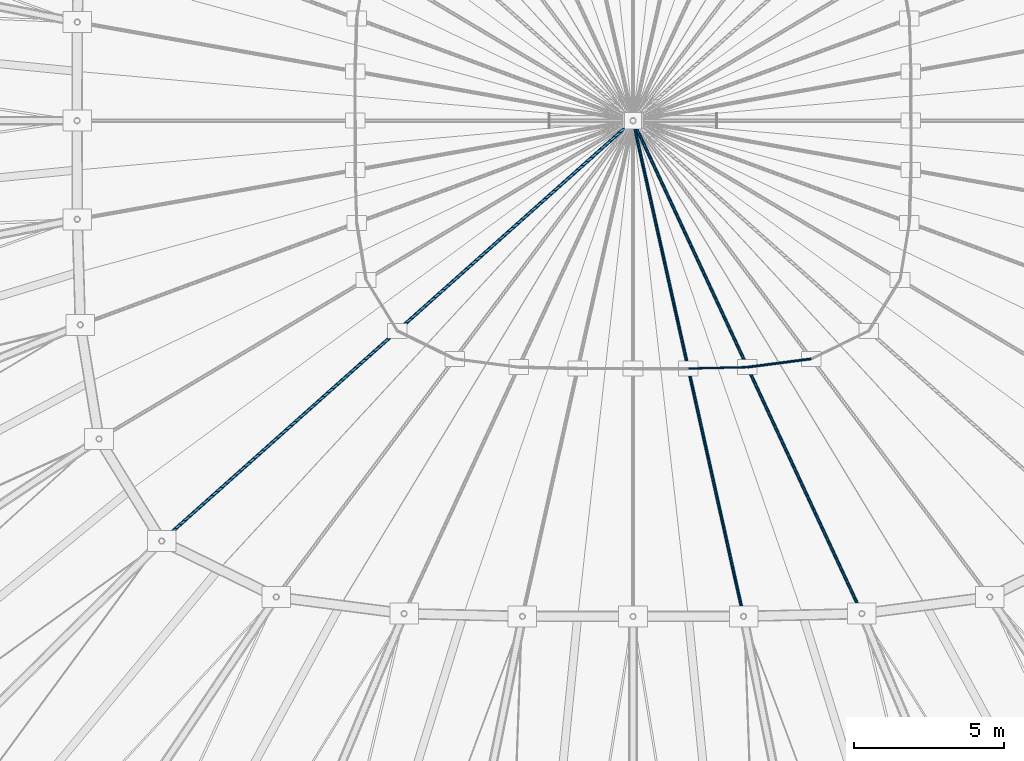
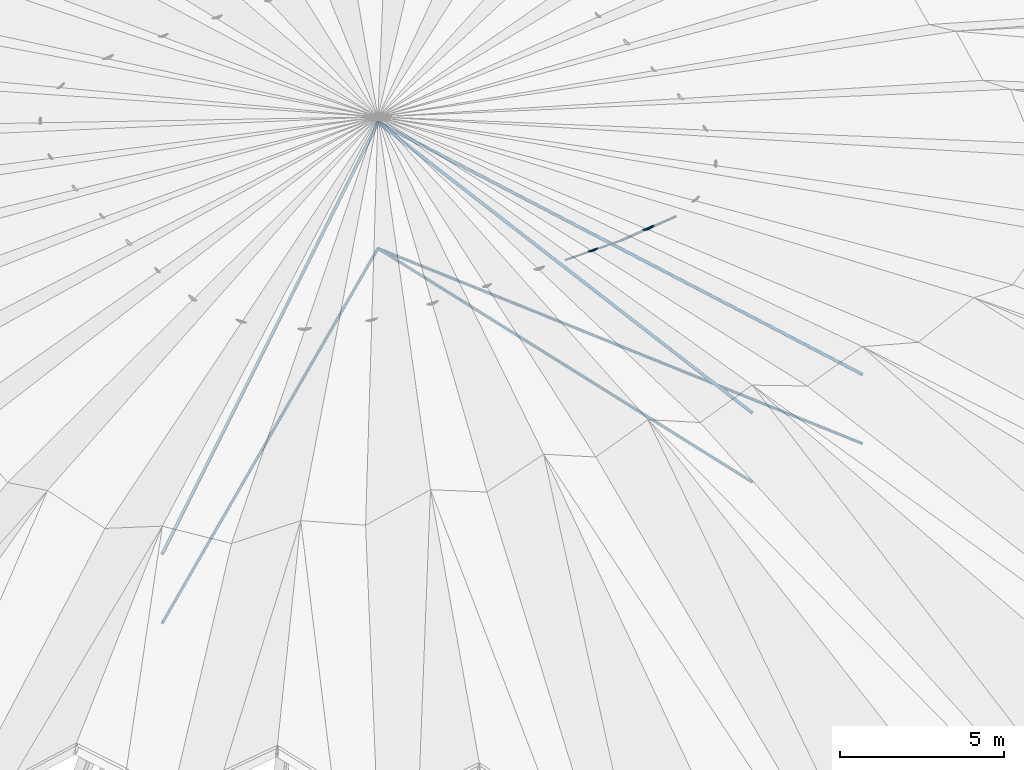
# One storey, part 8 of 41: 8 members.
"""IFC4 building model written with IfcOpenShell, lengths in metres."""

from ifc_helpers import new_model, si_unit, direction, frame, origin, origin_2d, place, context, subcontext, project, spatial, circle, extrude, material, material_profile, profile_set, type_object, element, save


model = new_model("IFC4")

# Units and contexts
model_context = context("Model", 3, precision=1e-05, world=origin(), true_north=direction((0.0, 1.0)))
body_context = subcontext(model_context, "Body", "Model", "MODEL_VIEW")
ifc_project = project(units=[si_unit("LENGTHUNIT", "METRE"), si_unit("AREAUNIT", "SQUARE_METRE"), si_unit("VOLUMEUNIT", "CUBIC_METRE"), si_unit("PLANEANGLEUNIT", "RADIAN"), si_unit("MASSUNIT", "GRAM", prefix="KILO")], contexts=[model_context])

# Site, building, storey
site_placement = place(None, origin())
site = spatial("IfcSite", under=ifc_project, at=site_placement, CompositionType="ELEMENT")
building_placement = place(site_placement, origin())
building = spatial("IfcBuilding", under=site, at=building_placement, Name="Luwafu Chhajja Arena", CompositionType="ELEMENT")
storey_placement = place(building_placement, frame((0.0, 0.0, 29.699951171875)))
storey = spatial("IfcBuildingStorey", under=building, at=storey_placement, Name="RF", CompositionType="ELEMENT", Elevation=29.699951171875)

# Members
ifc_material = material(Name="Steel S460", Category="steel")
ifc_material_profile_1 = material_profile(ifc_material, circle(Radius=0.04248046875, at=origin_2d()), Name="CABLE D85")
ifc_profile_set_1 = profile_set([ifc_material_profile_1], Name="Steel S460")
member_type_1 = type_object("IfcMemberType", Name="Oculus Hoop Tie Cable D85", PredefinedType="USERDEFINED", material=ifc_profile_set_1)
member_1_placement = place(storey_placement, frame((102.809326171875, 41.2978515625, 8.02001953125), z_axis=(0.991627668784, 0.129130037181, 0.0), x_axis=(-0.129130037181, 0.991627668784, 0.0)))
element("IfcMember", 1, at=member_1_placement, inside=storey, type_object=member_type_1, Name="Cable net hoop cable CBH-27", ObjectType="CABLE", PredefinedType="USERDEFINED", context=body_context, shape_type="SweptSolid", body=[
    extrude(circle(Radius=0.04248046875, at=origin_2d()), origin(), (0.0, 0.0, 1.0), 2.14599609375),
])
ifc_material_profile_2 = material_profile(ifc_material, circle(Radius=0.054931640625, at=origin_2d()), Name="CABLE D110")
ifc_profile_set_2 = profile_set([ifc_material_profile_2], Name="Steel S460")
member_type_2 = type_object("IfcMemberType", Name="Oculus Radial Main Cable D110", PredefinedType="USERDEFINED", material=ifc_profile_set_2)
member_2_placement = place(storey_placement, frame((83.314453125, 35.51025390625, 6.679931640625), z_axis=(0.742528858031, 0.662252344398, 0.100362977885), x_axis=(-0.665613098431, 0.746296993962, 0.0)))
element("IfcMember", 2, at=member_2_placement, inside=storey, type_object=member_type_2, Name="Cable net main cable CBM-21", ObjectType="CABLE", PredefinedType="USERDEFINED", context=body_context, shape_type="SweptSolid", body=[
    extrude(circle(Radius=0.054931640625, at=origin_2d()), origin(), (0.0, 0.0, 1.0), 21.12451171875),
])
member_3_placement = place(storey_placement, frame((102.678955078125, 33.00439453125, 6.679931640625), z_axis=(-0.215985560468, 0.968430577916, 0.124468684525), x_axis=(-0.976020566131, -0.21767832802, 0.0)))
element("IfcMember", 3, at=member_3_placement, inside=storey, type_object=member_type_2, Name="Cable net main cable CBM-26", ObjectType="CABLE", PredefinedType="USERDEFINED", context=body_context, shape_type="SweptSolid", body=[
    extrude(circle(Radius=0.054931640625, at=origin_2d()), origin(), (0.0, 0.0, 1.0), 17.033447265625),
])
member_4_placement = place(storey_placement, frame((106.61865234375, 33.095458984375, 6.679931640625), z_axis=(-0.418349875467, 0.900794180037, 0.116418327198), x_axis=(-0.906961273294, -0.421214017746, 0.0)))
element("IfcMember", 4, at=member_4_placement, inside=storey, type_object=member_type_2, Name="Cable net main cable CBM-27", ObjectType="CABLE", PredefinedType="USERDEFINED", context=body_context, shape_type="SweptSolid", body=[
    extrude(circle(Radius=0.054931640625, at=origin_2d()), origin(), (0.0, 0.0, 1.0), 18.211181640625),
])
ifc_material_profile_3 = material_profile(ifc_material, circle(Radius=0.047607421875, at=origin_2d()), Name="CABLE D95")
ifc_profile_set_3 = profile_set([ifc_material_profile_3], Name="Steel S460")
member_type_3 = type_object("IfcMemberType", Name="Oculus Radial Stabilizing Cable D95", PredefinedType="USERDEFINED", material=ifc_profile_set_3)
member_5_placement = place(storey_placement, frame((83.314453125, 35.51025390625, 4.10009765625), z_axis=(0.746296993962, 0.665613098431, 0.0), x_axis=(-0.665613098431, 0.746296993962, 0.0)))
element("IfcMember", 5, at=member_5_placement, inside=storey, type_object=member_type_3, Name="Cable net radial split stabilizing cable CBS-21", ObjectType="CABLE", PredefinedType="USERDEFINED", context=body_context, shape_type="SweptSolid", body=[
    extrude(circle(Radius=0.047607421875, at=origin_2d()), origin(), (0.0, 0.0, 1.0), 21.017822265625),
])
member_6_placement = place(storey_placement, frame((102.678955078125, 33.00439453125, 4.10009765625), z_axis=(-0.21767832802, 0.976020566131, 0.0), x_axis=(-0.976020566131, -0.21767832802, 0.0)))
element("IfcMember", 6, at=member_6_placement, inside=storey, type_object=member_type_3, Name="Cable net radial split stabilizing cable CBS-26", ObjectType="CABLE", PredefinedType="USERDEFINED", context=body_context, shape_type="SweptSolid", body=[
    extrude(circle(Radius=0.047607421875, at=origin_2d()), origin(), (0.0, 0.0, 1.0), 16.90087890625),
])
member_7_placement = place(storey_placement, frame((106.61865234375, 33.095458984375, 4.10009765625), z_axis=(-0.421214017746, 0.906961273294, 0.0), x_axis=(-0.906961273294, -0.421214017746, 0.0)))
element("IfcMember", 7, at=member_7_placement, inside=storey, type_object=member_type_3, Name="Cable net radial split stabilizing cable CBS-27", ObjectType="CABLE", PredefinedType="USERDEFINED", context=body_context, shape_type="SweptSolid", body=[
    extrude(circle(Radius=0.047607421875, at=origin_2d()), origin(), (0.0, 0.0, 1.0), 18.08740234375),
])
ifc_material_profile_4 = material_profile(ifc_material, circle(Radius=0.034912109375, at=origin_2d()), Name="CABLE D70")
ifc_profile_set_4 = profile_set([ifc_material_profile_4], Name="Steel S460")
member_type_4 = type_object("IfcMemberType", Name="Oculus Secondary Tie Cable D70", PredefinedType="USERDEFINED", material=ifc_profile_set_4)
member_8_placement = place(storey_placement, frame((100.83935546875, 41.252197265625, 8.02001953125), z_axis=(0.999731565155, 0.023168893628, 0.0), x_axis=(-0.023168893628, 0.999731565155, 0.0)))
element("IfcMember", 8, at=member_8_placement, inside=storey, type_object=member_type_4, Name="Cable net hoop cable CBH-26", ObjectType="CABLE", PredefinedType="USERDEFINED", context=body_context, shape_type="SweptSolid", body=[
    extrude(circle(Radius=0.034912109375, at=origin_2d()), origin(), (0.0, 0.0, 1.0), 1.970458984375),
])

save(model, "model.ifc")
